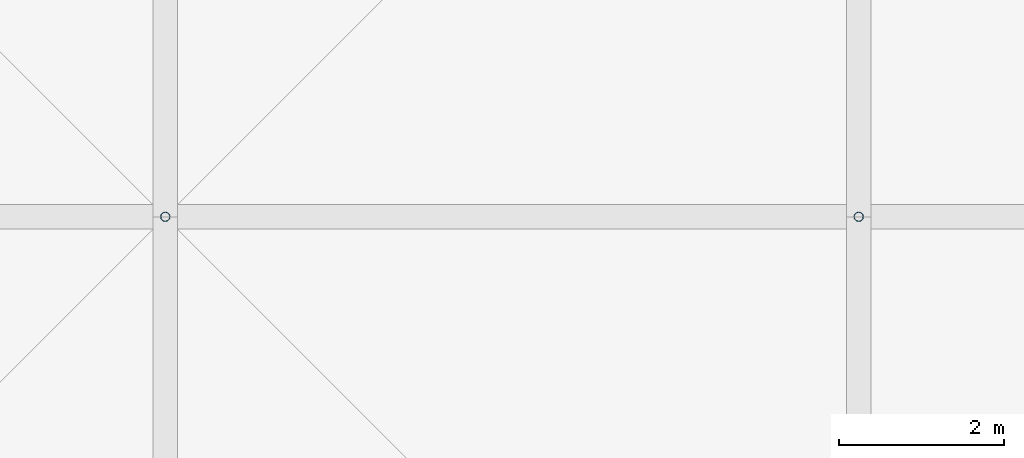
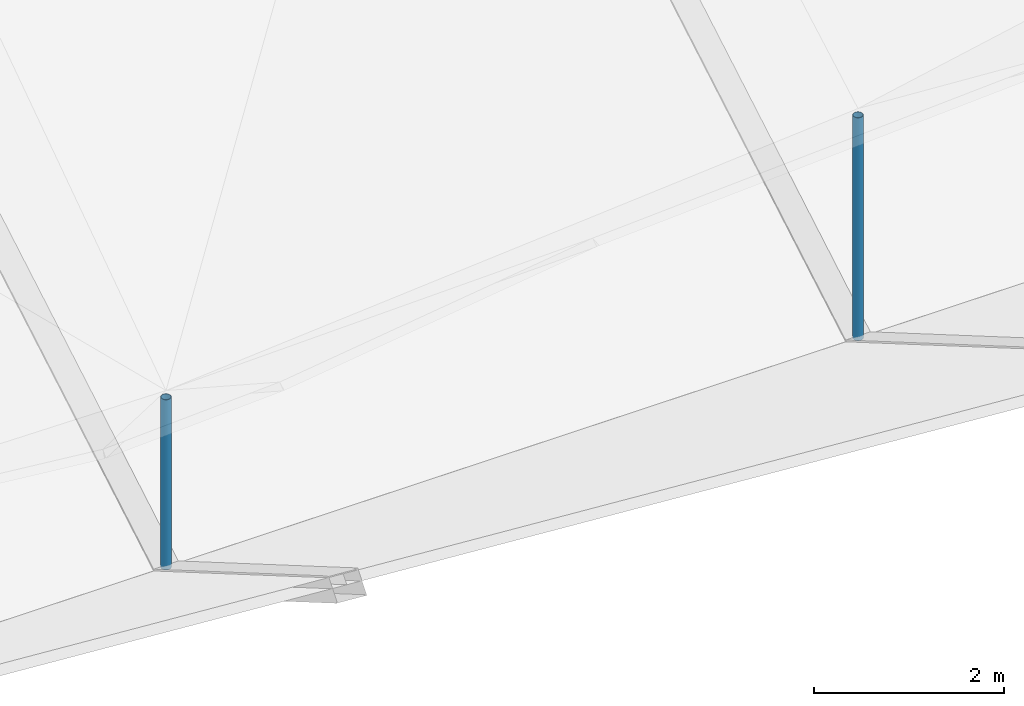
# One storey, part 72 of 111: 2 discrete accessories.
"""IFC4 building model written with IfcOpenShell, lengths in metres."""

import ifcopenshell
import ifcopenshell.guid

model = None  # the IFC model being written
_history = None  # IfcOwnerHistory: only IFC2X3 demands one
_inside = {}  # id of a spatial element -> (the spatial element, [elements in it])
_under = {}  # id of a project, library or spatial element -> (it, [spatial elements below it])
_declared = {}  # id of a project -> (the project, [libraries it declares])
_typed = {}  # id of a type object -> (the type object, [elements of that type])
_made_of = {}  # id of a material, layer set ... -> (it, [elements and type objects made of it])


def new_model(schema):
    """Start an empty IFC model of exactly this schema.

    Asked for "IFC4X3", IfcOpenShell would pick the latest addendum, in which some entities
    have other attributes; the version numbers below select the first issue.
    IFC2X3 requires an IfcOwnerHistory on every rooted entity: one is made here for all.
    """
    global model, _history
    if schema == "IFC4X3":
        model = ifcopenshell.file(schema_version=(4, 3, 0, 0))
    else:
        model = ifcopenshell.file(schema=schema)
    _inside.clear()
    _under.clear()
    _declared.clear()
    _typed.clear()
    _made_of.clear()
    _history = None
    if model.schema == "IFC2X3":
        org = make("IfcOrganization", Name="unknown")
        user = make(
            "IfcPersonAndOrganization",
            ThePerson=make("IfcPerson", FamilyName="unknown"),
            TheOrganization=org,
        )
        app = make(
            "IfcApplication",
            ApplicationDeveloper=org,
            Version="unknown",
            ApplicationFullName="unknown",
            ApplicationIdentifier="unknown",
        )
        _history = make(
            "IfcOwnerHistory",
            OwningUser=user,
            OwningApplication=app,
            ChangeAction="ADDED",
            CreationDate=0,
        )
    return model


def make(cls, **values):
    """One entity of the class cls with the attributes given. An attribute that is None is left unset."""
    return model.create_entity(
        cls, **{name: value for name, value in values.items() if value is not None}
    )


def rooted(cls, **values):
    """An entity with a GlobalId (a new one), such as an element, a storey or a relation."""
    return make(cls, GlobalId=ifcopenshell.guid.new(), OwnerHistory=_history, **values)


def si_unit(unit_type, name, prefix=None):
    """IfcSIUnit, for example si_unit("LENGTHUNIT", "METRE", prefix="MILLI")."""
    return make("IfcSIUnit", UnitType=unit_type, Prefix=prefix, Name=name)


def assignment(units):
    """IfcUnitAssignment: the units of a project."""
    return None if units is None else make("IfcUnitAssignment", Units=units)


def point(xyz):
    """IfcCartesianPoint."""
    return None if xyz is None else make("IfcCartesianPoint", Coordinates=xyz)


def direction(xyz):
    """IfcDirection."""
    return None if xyz is None else make("IfcDirection", DirectionRatios=xyz)


def frame(location, z_axis=None, x_axis=None):
    """IfcAxis2Placement3D, a coordinate frame: its origin and axes. An axis left out is left unset."""
    return make(
        "IfcAxis2Placement3D",
        Location=point(location),
        Axis=direction(z_axis),
        RefDirection=direction(x_axis),
    )


def frame_2d(location, x_axis=None):
    """IfcAxis2Placement2D, a coordinate frame in the plane: its origin and x axis."""
    return make(
        "IfcAxis2Placement2D", Location=point(location), RefDirection=direction(x_axis)
    )


def origin():
    """The frame at (0, 0, 0) with its axes left unset."""
    return frame((0.0, 0.0, 0.0))


def origin_2d():
    """The frame at (0, 0) in the plane with its x axis left unset."""
    return frame_2d((0.0, 0.0))


def place(relative_to, where):
    """IfcLocalPlacement: puts the frame where relative to a parent placement (None: the world)."""
    return make(
        "IfcLocalPlacement", PlacementRelTo=relative_to, RelativePlacement=where
    )


def context(
    kind, dimensions, precision=None, world=None, true_north=None, identifier=None
):
    """IfcGeometricRepresentationContext, for example the 3D "Model" context."""
    return make(
        "IfcGeometricRepresentationContext",
        ContextIdentifier=identifier,
        ContextType=kind,
        CoordinateSpaceDimension=dimensions,
        Precision=precision,
        WorldCoordinateSystem=world,
        TrueNorth=true_north,
    )


def subcontext(parent, identifier, kind, view, scale=None):
    """IfcGeometricRepresentationSubContext, for example "Body" below "Model"."""
    return make(
        "IfcGeometricRepresentationSubContext",
        ContextIdentifier=identifier,
        ContextType=kind,
        ParentContext=parent,
        TargetScale=scale,
        TargetView=view,
    )


def project(units=None, contexts=None):
    """IfcProject with its units and contexts."""
    return rooted(
        "IfcProject",
        Name="project",
        RepresentationContexts=contexts,
        UnitsInContext=assignment(units),
    )


def spatial(cls, under=None, at=None, **own):
    """A site, building, storey or space (cls), placed at a placement, below another one or the project."""
    s = rooted(cls, ObjectPlacement=at, **own)
    if under is not None:
        _under.setdefault(under.id(), (under, []))[1].append(s)
    return s


def profile(cls, at=None, kind="AREA", **sizes):
    """A parametric profile (cls). Its sizes go by their IFC names, for example OverallWidth=200.0."""
    return make(cls, ProfileType=kind, Position=at, **sizes)


def hollow_circle(**sizes):
    """IfcCircleHollowProfileDef."""
    return profile("IfcCircleHollowProfileDef", **sizes)


def extrude(swept, where, along, depth):
    """IfcExtrudedAreaSolid: the profile swept, set in the frame where, extruded along a direction by depth."""
    return make(
        "IfcExtrudedAreaSolid",
        SweptArea=swept,
        Position=where,
        ExtrudedDirection=direction(along),
        Depth=depth,
    )


def shape(context_of_items, identifier, shape_type, items):
    """IfcShapeRepresentation: the items that make up one representation, for example the "Body"."""
    return make(
        "IfcShapeRepresentation",
        ContextOfItems=context_of_items,
        RepresentationIdentifier=identifier,
        RepresentationType=shape_type,
        Items=items,
    )


def material(Name=None, Category=None):
    """IfcMaterial."""
    return make("IfcMaterial", Name=Name, Category=Category)


def material_profile(
    of_material, cross_section, Name=None, Category=None, Priority=None
):
    """IfcMaterialProfile: a cross section and its material."""
    return make(
        "IfcMaterialProfile",
        Name=Name,
        Material=of_material,
        Profile=cross_section,
        Priority=Priority,
        Category=Category,
    )


def profile_set(profiles, Name=None, composite=None):
    """IfcMaterialProfileSet."""
    return make(
        "IfcMaterialProfileSet",
        Name=Name,
        MaterialProfiles=profiles,
        CompositeProfile=composite,
    )


def made_of(thing, what):
    """Note that an element or type object is made of a material, layer set ...; save() writes the relation."""
    if what is not None:
        _made_of.setdefault(what.id(), (what, []))[1].append(thing)
    return thing


def type_object(cls, material=None, **own):
    """A type object (cls), such as IfcWallType, which elements share."""
    return made_of(rooted(cls, **own), material)


def element(
    cls,
    number,
    at=None,
    inside=None,
    cuts=None,
    type_object=None,
    material=None,
    context=None,
    identifier="Body",
    shape_type=None,
    held_by="IfcProductDefinitionShape",
    body=None,
    shapes=None,
    **own,
):
    """One element of the class cls, such as IfcWall. Its Tag is "e" and its number.

    at: its placement. inside: the storey or other place that contains it. cuts: it is an
    opening in that element (IfcRelVoidsElement). A single representation is given by context,
    identifier, shape_type and body (its items); several are given by shapes. held_by: the class
    of the entity that holds the representations. save() writes the other relations.
    """
    e = rooted(cls, Tag="e%d" % number, ObjectPlacement=at, **own)
    if body is not None:
        shapes = [shape(context, identifier, shape_type, body)]
    if shapes is not None:
        e.Representation = make(held_by, Representations=shapes)
    if inside is not None:
        _inside.setdefault(inside.id(), (inside, []))[1].append(e)
    if cuts is not None:
        rooted(
            "IfcRelVoidsElement", RelatingBuildingElement=cuts, RelatedOpeningElement=e
        )
    if type_object is not None:
        _typed.setdefault(type_object.id(), (type_object, []))[1].append(e)
    return made_of(e, material)


def aggregate(whole, parts):
    """IfcRelAggregates: a whole, such as a stair, and the parts it consists of."""
    return rooted("IfcRelAggregates", RelatingObject=whole, RelatedObjects=parts)


def save(model, path):
    """Write the relations noted so far, then the file.

    IfcRelAggregates (storeys below a building ...), IfcRelContainedInSpatialStructure (elements
    in a storey), IfcRelDefinesByType, IfcRelAssociatesMaterial and IfcRelDeclares: one each for
    every whole, place, type object, material and project.
    """
    for whole, parts in _under.values():
        aggregate(whole, parts)
    for where, things in _inside.values():
        rooted(
            "IfcRelContainedInSpatialStructure",
            RelatedElements=things,
            RelatingStructure=where,
        )
    for kind, things in _typed.values():
        rooted("IfcRelDefinesByType", RelatedObjects=things, RelatingType=kind)
    for what, things in _made_of.values():
        rooted("IfcRelAssociatesMaterial", RelatedObjects=things, RelatingMaterial=what)
    for by, libraries in _declared.values():
        rooted("IfcRelDeclares", RelatingContext=by, RelatedDefinitions=libraries)
    model.write(path)


model = new_model("IFC4")

# Units and contexts
model_context = context("Model", 3, precision=1e-05, world=origin(), true_north=direction((0.0, 1.0)))
body_context = subcontext(model_context, "Body", "Model", "MODEL_VIEW")
ifc_project = project(units=[si_unit("LENGTHUNIT", "METRE"), si_unit("AREAUNIT", "SQUARE_METRE"), si_unit("VOLUMEUNIT", "CUBIC_METRE"), si_unit("PLANEANGLEUNIT", "RADIAN"), si_unit("MASSUNIT", "GRAM", prefix="KILO")], contexts=[model_context])

# Site, building, storey
site_placement = place(None, origin())
site = spatial("IfcSite", under=ifc_project, at=site_placement, CompositionType="ELEMENT")
building_placement = place(site_placement, origin())
building = spatial("IfcBuilding", under=site, at=building_placement, Name="Rain Tree Exposition and Congress Centre", CompositionType="ELEMENT")
storey_placement = place(building_placement, frame((0.0, 0.0, 19.5)))
storey = spatial("IfcBuildingStorey", under=building, at=storey_placement, Name="RF", CompositionType="ELEMENT", Elevation=19.5)

# Discrete accessories
ifc_material = material(Name="Steel S355J2H", Category="steel")
ifc_material_profile = material_profile(ifc_material, hollow_circle(Radius=0.05712890625, WallThickness=0.00439453125, at=origin_2d()), Name="CHS 114x4.5")
ifc_profile_set = profile_set([ifc_material_profile], Name="Steel S355J2H")
discrete_accessory_type = type_object("IfcDiscreteAccessoryType", Name="Roof skin post CHS 114x4.5", PredefinedType="BRACKET", material=ifc_profile_set)
discrete_accessory_1_placement = place(storey_placement, frame((159.60009765625, 151.199951171875, 0.5), z_axis=(0.0, 0.0, 1.0), x_axis=(1.0, 0.0, 0.0)))
element("IfcDiscreteAccessory", 1, at=discrete_accessory_1_placement, inside=storey, type_object=discrete_accessory_type, Name="Roof skin post B81", PredefinedType="BRACKET", context=body_context, shape_type="SweptSolid", body=[
    extrude(hollow_circle(Radius=0.05712890625, WallThickness=0.00439453125, at=origin_2d()), origin(), (0.0, 0.0, 1.0), 2.18359375),
])
discrete_accessory_2_placement = place(storey_placement, frame((168.0, 151.199951171875, 0.5), z_axis=(0.0, 0.0, 1.0), x_axis=(1.0, 0.0, 0.0)))
element("IfcDiscreteAccessory", 2, at=discrete_accessory_2_placement, inside=storey, type_object=discrete_accessory_type, Name="Roof skin post B82", PredefinedType="BRACKET", context=body_context, shape_type="SweptSolid", body=[
    extrude(hollow_circle(Radius=0.05712890625, WallThickness=0.00439453125, at=origin_2d()), origin(), (0.0, 0.0, 1.0), 2.861328125),
])

save(model, "model.ifc")
